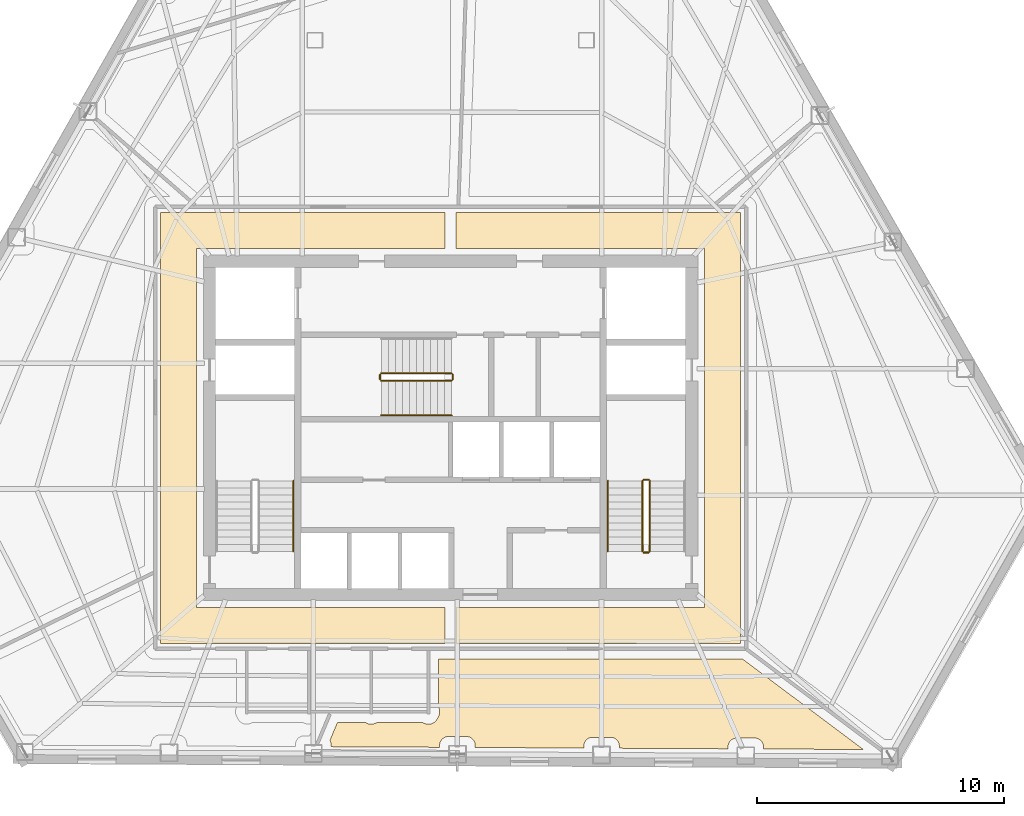
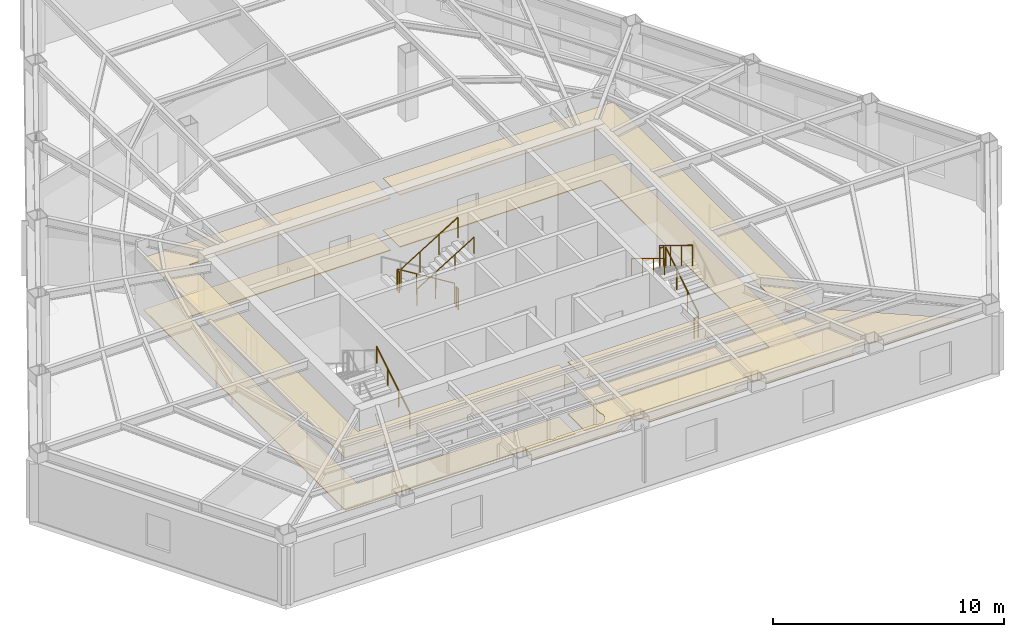
# One storey, part 11 of 12: 11 railings, 5 coverings.
"""IFC4 building model written with IfcOpenShell, lengths in metres."""

from ifc_helpers import new_model, si_unit, direction, frame, origin, origin_2d, place, context, subcontext, project, spatial, polyline, circle, outline, extrude, material, layer, layer_set, type_object, element, save


model = new_model("IFC4")

# Units and contexts
model_context = context("Model", 3, precision=1e-05, world=origin(), true_north=direction((0.0, 1.0)))
body_context = subcontext(model_context, "Body", "Model", "MODEL_VIEW")
ifc_project = project(units=[si_unit("LENGTHUNIT", "METRE"), si_unit("AREAUNIT", "SQUARE_METRE"), si_unit("VOLUMEUNIT", "CUBIC_METRE"), si_unit("PLANEANGLEUNIT", "RADIAN"), si_unit("MASSUNIT", "GRAM", prefix="KILO")], contexts=[model_context])

# Site, building, storey
site_placement = place(None, origin())
site = spatial("IfcSite", under=ifc_project, at=site_placement, CompositionType="ELEMENT")
building_placement = place(site_placement, origin())
building = spatial("IfcBuilding", under=site, at=building_placement, Name="Kavelnor Concourse Tower", CompositionType="ELEMENT")
storey_placement = place(building_placement, frame((0.0, 0.0, 104.75)))
storey = spatial("IfcBuildingStorey", under=building, at=storey_placement, Name="L26", CompositionType="ELEMENT", Elevation=104.75)

# Coverings
ifc_material_1 = material(Name="Mineral fibre acoustic ceiling tile")
ifc_layer_1 = layer(ifc_material_1, 0.0400390625, Name="Mineral fibre acoustic ceiling tile")
ifc_layer_set_1 = layer_set([ifc_layer_1], Name="Mineral fibre acoustic ceiling tile")
covering_type_1 = type_object("IfcCoveringType", Name="COV-CEILING-ACOUSTIC", PredefinedType="CEILING", material=ifc_layer_set_1)
covering_1_placement = place(storey_placement, frame((0.0, 0.0, 2.75)))
element("IfcCovering", 1, at=covering_1_placement, inside=storey, type_object=covering_type_1, Name="L26 Suspended Acoustic Ceiling", PredefinedType="CEILING", context=body_context, shape_type="SweptSolid", body=[
    extrude(outline(polyline([(26.25, 7.3701171875), (26.25, 24.830078125), (37.77490234375, 24.830078125), (37.77490234375, 23.3701171875), (27.7099609375, 23.3701171875), (27.7099609375, 8.830078125), (37.77490234375, 8.830078125), (37.77490234375, 7.3701171875), (26.25, 7.3701171875)])), origin(), (0.0, 0.0, 1.0), 0.0400390625),
])
covering_2_placement = place(storey_placement, frame((0.0, 0.0, 2.75)))
element("IfcCovering", 2, at=covering_2_placement, inside=storey, type_object=covering_type_1, Name="L26 Suspended Acoustic Ceiling", PredefinedType="CEILING", context=body_context, shape_type="SweptSolid", body=[
    extrude(outline(polyline([(49.75, 7.3701171875), (38.22509765625, 7.3701171875), (38.22509765625, 8.830078125), (48.2900390625, 8.830078125), (48.2900390625, 23.3701171875), (38.22509765625, 23.3701171875), (38.22509765625, 24.830078125), (49.75, 24.830078125), (49.75, 7.3701171875)])), origin(), (0.0, 0.0, 1.0), 0.0400390625),
])
covering_3_placement = place(storey_placement, frame((0.0, 0.0, 2.75)))
element("IfcCovering", 3, at=covering_3_placement, inside=storey, type_object=covering_type_1, Name="L26 Suspended Acoustic Ceiling", PredefinedType="CEILING", context=body_context, shape_type="SweptSolid", body=[
    extrude(outline(polyline([(33.41259765625, 4.159912109375), (34.5595703125, 4.159912109375), (34.5888671875, 4.142578125), (34.625, 4.12548828125), (34.662353515625, 4.112060546875), (34.700927734375, 4.102294921875), (34.740234375, 4.096435546875), (34.780029296875, 4.094482421875), (34.819580078125, 4.096435546875), (34.859130859375, 4.102294921875), (34.897705078125, 4.112060546875), (34.93505859375, 4.12548828125), (34.97119140625, 4.142578125), (35.00048828125, 4.159912109375), (36.879638671875, 4.159912109375), (36.908935546875, 4.142578125), (36.94482421875, 4.12548828125), (36.982421875, 4.112060546875), (37.02099609375, 4.102294921875), (37.060302734375, 4.096435546875), (37.10009765625, 4.094482421875), (37.1396484375, 4.096435546875), (37.17919921875, 4.102294921875), (37.2177734375, 4.112060546875), (37.255126953125, 4.12548828125), (37.291015625, 4.142578125), (37.3251953125, 4.162841796875), (37.357177734375, 4.1865234375), (37.38671875, 4.21337890625), (37.413330078125, 4.242919921875), (37.43701171875, 4.27490234375), (37.45751953125, 4.308837890625), (37.474609375, 4.344970703125), (37.4833984375, 4.3701171875), (37.487060546875, 4.374755859375), (37.507568359375, 4.408935546875), (37.524658203125, 4.44482421875), (37.5380859375, 4.482421875), (37.547607421875, 4.52099609375), (37.553466796875, 4.560302734375), (37.555419921875, 4.60009765625), (37.553466796875, 4.6396484375), (37.547607421875, 4.67919921875), (37.5380859375, 4.7177734375), (37.524658203125, 4.755126953125), (37.507568359375, 4.791015625), (37.5048828125, 4.79541015625), (37.5048828125, 6.7275390625), (49.834716796875, 6.7275390625), (54.722900390625, 3.0703125), (50.67626953125, 3.09130859375), (50.67626953125, 3.18359375), (50.6748046875, 3.21044921875), (50.669677734375, 3.24560546875), (50.6611328125, 3.27978515625), (50.649169921875, 3.31298828125), (50.634033203125, 3.34521484375), (50.615966796875, 3.37548828125), (50.5947265625, 3.40380859375), (50.571044921875, 3.429931640625), (50.544921875, 3.453857421875), (50.516357421875, 3.474853515625), (50.486083984375, 3.4931640625), (50.4541015625, 3.50830078125), (50.4208984375, 3.52001953125), (50.386474609375, 3.52880859375), (50.3515625, 3.533935546875), (50.324462890625, 3.53515625), (49.587890625, 3.53515625), (49.560791015625, 3.533935546875), (49.52587890625, 3.52880859375), (49.49169921875, 3.52001953125), (49.458251953125, 3.50830078125), (49.42626953125, 3.4931640625), (49.39599609375, 3.474853515625), (49.36767578125, 3.453857421875), (49.34130859375, 3.429931640625), (49.317626953125, 3.40380859375), (49.29638671875, 3.37548828125), (49.2783203125, 3.34521484375), (49.26318359375, 3.31298828125), (49.251220703125, 3.27978515625), (49.24267578125, 3.24560546875), (49.237548828125, 3.21044921875), (49.236083984375, 3.18359375), (49.236083984375, 3.098876953125), (44.835205078125, 3.121826171875), (44.835205078125, 3.2138671875), (44.833984375, 3.24072265625), (44.82861328125, 3.27587890625), (44.820068359375, 3.31005859375), (44.80810546875, 3.343505859375), (44.793212890625, 3.37548828125), (44.77490234375, 3.40576171875), (44.75390625, 3.43408203125), (44.72998046875, 3.460205078125), (44.703857421875, 3.484130859375), (44.67529296875, 3.505126953125), (44.64501953125, 3.5234375), (44.613037109375, 3.53857421875), (44.579833984375, 3.55029296875), (44.54541015625, 3.55908203125), (44.510498046875, 3.564208984375), (44.4833984375, 3.5654296875), (43.746826171875, 3.5654296875), (43.719970703125, 3.564208984375), (43.684814453125, 3.55908203125), (43.650634765625, 3.55029296875), (43.6171875, 3.53857421875), (43.585205078125, 3.5234375), (43.554931640625, 3.505126953125), (43.526611328125, 3.484130859375), (43.50048828125, 3.460205078125), (43.4765625, 3.43408203125), (43.45556640625, 3.40576171875), (43.437255859375, 3.37548828125), (43.422119140625, 3.343505859375), (43.410400390625, 3.31005859375), (43.401611328125, 3.27587890625), (43.396484375, 3.24072265625), (43.395263671875, 3.2138671875), (43.395263671875, 3.129150390625), (38.994140625, 3.152099609375), (38.994140625, 3.244140625), (38.992919921875, 3.27099609375), (38.98779296875, 3.30615234375), (38.97900390625, 3.34033203125), (38.96728515625, 3.373779296875), (38.9521484375, 3.40576171875), (38.933837890625, 3.43603515625), (38.912841796875, 3.46435546875), (38.888916015625, 3.490478515625), (38.86279296875, 3.514404296875), (38.83447265625, 3.535400390625), (38.80419921875, 3.5537109375), (38.772216796875, 3.56884765625), (38.73876953125, 3.580810546875), (38.70458984375, 3.58935546875), (38.66943359375, 3.594482421875), (38.642578125, 3.595703125), (37.906005859375, 3.595703125), (37.87890625, 3.594482421875), (37.843994140625, 3.58935546875), (37.8095703125, 3.580810546875), (37.7763671875, 3.56884765625), (37.744384765625, 3.5537109375), (37.714111328125, 3.535400390625), (37.685546875, 3.514404296875), (37.659423828125, 3.490478515625), (37.635498046875, 3.46435546875), (37.614501953125, 3.43603515625), (37.59619140625, 3.40576171875), (37.581298828125, 3.373779296875), (37.5693359375, 3.34033203125), (37.560791015625, 3.30615234375), (37.555419921875, 3.27099609375), (37.55419921875, 3.244140625), (37.55419921875, 3.159423828125), (33.1533203125, 3.182373046875), (33.1533203125, 3.2744140625), (33.15185546875, 3.301513671875), (33.146728515625, 3.33642578125), (33.13818359375, 3.370849609375), (33.126220703125, 3.404052734375), (33.111083984375, 3.43603515625), (33.10888671875, 3.43994140625), (33.41259765625, 4.159912109375)])), origin(), (0.0, 0.0, 1.0), 0.0400390625),
])
ifc_material_2 = material(Name="Honed bluestone and raised access floor finish", Category="masonry")
ifc_layer_2 = layer(ifc_material_2, 0.0400390625, Name="Honed bluestone and raised access floor finish")
ifc_layer_set_2 = layer_set([ifc_layer_2], Name="Honed bluestone and raised access floor finish")
covering_type_2 = type_object("IfcCoveringType", Name="COV-FLOOR-STONE", PredefinedType="FLOORING", material=ifc_layer_set_2)
covering_4_placement = place(storey_placement, frame((0.0, 0.0, 0.001953125)))
element("IfcCovering", 4, at=covering_4_placement, inside=storey, type_object=covering_type_2, Name="L26 Honed Bluestone Floor Finish", PredefinedType="FLOORING", context=body_context, shape_type="SweptSolid", body=[
    extrude(outline(polyline([(26.25, 7.3701171875), (26.25, 24.830078125), (37.77490234375, 24.830078125), (37.77490234375, 23.3701171875), (27.7099609375, 23.3701171875), (27.7099609375, 8.830078125), (37.77490234375, 8.830078125), (37.77490234375, 7.3701171875), (26.25, 7.3701171875)])), origin(), (0.0, 0.0, 1.0), 0.0400390625),
])
covering_5_placement = place(storey_placement, frame((0.0, 0.0, 0.001953125)))
element("IfcCovering", 5, at=covering_5_placement, inside=storey, type_object=covering_type_2, Name="L26 Honed Bluestone Floor Finish", PredefinedType="FLOORING", context=body_context, shape_type="SweptSolid", body=[
    extrude(outline(polyline([(49.75, 7.3701171875), (38.22509765625, 7.3701171875), (38.22509765625, 8.830078125), (48.2900390625, 8.830078125), (48.2900390625, 23.3701171875), (38.22509765625, 23.3701171875), (38.22509765625, 24.830078125), (49.75, 24.830078125), (49.75, 7.3701171875)])), origin(), (0.0, 0.0, 1.0), 0.0400390625),
])

# Railings
ifc_material_3 = material(Name="Steel Grade 350", Category="steel")
railing_type_1 = type_object("IfcRailingType", Name="RLG-GUARD-1100", PredefinedType="GUARDRAIL", material=ifc_material_3)
railing_1_placement = place(storey_placement, frame((46.070068359375, 11.10009765625, 0.175048828125)))
element("IfcRailing", 6, at=railing_1_placement, inside=storey, type_object=railing_type_1, Name="L26 ST2 stair guard 1", PredefinedType="GUARDRAIL", context=body_context, shape_type="SweptSolid", body=[
    extrude(circle(Radius=0.02392578125, at=origin_2d()), frame((0.0, 0.0, 1.076171875), z_axis=(0.0, 0.852159232446, 0.523282564737), x_axis=(-1.0, 0.0, 0.0)), (0.0, 0.0, 1.0), 3.34423828125),
    extrude(circle(Radius=0.02099609375, at=origin_2d()), origin(), (0.0, 0.0, 1.0), 1.052001953125),
    extrude(circle(Radius=0.02099609375, at=origin_2d()), frame((0.0, 0.949951171875, 0.583251953125)), (0.0, 0.0, 1.0), 1.052001953125),
    extrude(circle(Radius=0.02099609375, at=origin_2d()), frame((0.0, 1.89990234375, 1.166748046875)), (0.0, 0.0, 1.0), 1.052001953125),
    extrude(circle(Radius=0.02099609375, at=origin_2d()), frame((0.0, 2.849853515625, 1.75)), (0.0, 0.0, 1.0), 1.052001953125),
])
railing_2_placement = place(storey_placement, frame((46.02001953125, 14.0, 1.925048828125)))
element("IfcRailing", 7, at=railing_2_placement, inside=storey, type_object=railing_type_1, Name="L26 ST2 stair guard 2", PredefinedType="GUARDRAIL", context=body_context, shape_type="SweptSolid", body=[
    extrude(circle(Radius=0.02392578125, at=origin_2d()), frame((0.0, 0.0, 1.076171875), z_axis=(-1.0, 0.0, 0.0), x_axis=(0.0, -1.0, 0.0)), (0.0, 0.0, 1.0), 0.199951171875),
    extrude(circle(Radius=0.02099609375, at=origin_2d()), origin(), (0.0, 0.0, 1.0), 1.052001953125),
    extrude(circle(Radius=0.02099609375, at=origin_2d()), frame((-0.199951171875, 0.0, 0.0)), (0.0, 0.0, 1.0), 1.052001953125),
])
railing_3_placement = place(storey_placement, frame((45.77001953125, 13.949951171875, 2.10009765625)))
element("IfcRailing", 8, at=railing_3_placement, inside=storey, type_object=railing_type_1, Name="L26 ST2 stair guard 3", PredefinedType="GUARDRAIL", context=body_context, shape_type="SweptSolid", body=[
    extrude(circle(Radius=0.02392578125, at=origin_2d()), frame((0.0, 0.0, 1.076171875), z_axis=(0.0, -0.852159232446, 0.523282564737), x_axis=(1.0, 0.0, 0.0)), (0.0, 0.0, 1.0), 3.34423828125),
    extrude(circle(Radius=0.02099609375, at=origin_2d()), origin(), (0.0, 0.0, 1.0), 1.052001953125),
    extrude(circle(Radius=0.02099609375, at=origin_2d()), frame((0.0, -0.949951171875, 0.583251953125)), (0.0, 0.0, 1.0), 1.052001953125),
    extrude(circle(Radius=0.02099609375, at=origin_2d()), frame((0.0, -1.89990234375, 1.166748046875)), (0.0, 0.0, 1.0), 1.052001953125),
    extrude(circle(Radius=0.02099609375, at=origin_2d()), frame((0.0, -2.849853515625, 1.75)), (0.0, 0.0, 1.0), 1.052001953125),
])
railing_4_placement = place(storey_placement, frame((46.02001953125, 11.050048828125, 0.0)))
element("IfcRailing", 9, at=railing_4_placement, inside=storey, type_object=railing_type_1, Name="L26 ST2 stair guard 4", PredefinedType="GUARDRAIL", context=body_context, shape_type="SweptSolid", body=[
    extrude(circle(Radius=0.02392578125, at=origin_2d()), frame((0.0, 0.0, 1.076171875), z_axis=(-1.0, 0.0, 0.0), x_axis=(0.0, -1.0, 0.0)), (0.0, 0.0, 1.0), 0.199951171875),
    extrude(circle(Radius=0.02099609375, at=origin_2d()), origin(), (0.0, 0.0, 1.0), 1.052001953125),
    extrude(circle(Radius=0.02099609375, at=origin_2d()), frame((-0.199951171875, 0.0, 0.0)), (0.0, 0.0, 1.0), 1.052001953125),
])
railing_5_placement = place(storey_placement, frame((38.0400390625, 18.31005859375, 0.175048828125)))
element("IfcRailing", 10, at=railing_5_placement, inside=storey, type_object=railing_type_1, Name="L26 ST3 stair guard 1", PredefinedType="GUARDRAIL", context=body_context, shape_type="SweptSolid", body=[
    extrude(circle(Radius=0.02392578125, at=origin_2d()), frame((0.0, 0.0, 1.076171875), z_axis=(-0.852179220489, 0.0, 0.52325001306), x_axis=(0.0, -1.0, 0.0)), (0.0, 0.0, 1.0), 3.344482421875),
    extrude(circle(Radius=0.02099609375, at=origin_2d()), origin(), (0.0, 0.0, 1.0), 1.052001953125),
    extrude(circle(Radius=0.02099609375, at=origin_2d()), frame((-0.949951171875, 0.0, 0.583251953125)), (0.0, 0.0, 1.0), 1.052001953125),
    extrude(circle(Radius=0.02099609375, at=origin_2d()), frame((-1.900146484375, 0.0, 1.166748046875)), (0.0, 0.0, 1.0), 1.052001953125),
    extrude(circle(Radius=0.02099609375, at=origin_2d()), frame((-2.85009765625, 0.0, 1.75)), (0.0, 0.0, 1.0), 1.052001953125),
])
railing_6_placement = place(storey_placement, frame((35.139892578125, 18.260009765625, 1.925048828125)))
element("IfcRailing", 11, at=railing_6_placement, inside=storey, type_object=railing_type_1, Name="L26 ST3 stair guard 2", PredefinedType="GUARDRAIL", context=body_context, shape_type="SweptSolid", body=[
    extrude(circle(Radius=0.02392578125, at=origin_2d()), frame((0.0, 0.0, 1.076171875), z_axis=(0.0, -1.0, 0.0), x_axis=(1.0, 0.0, 0.0)), (0.0, 0.0, 1.0), 0.199951171875),
    extrude(circle(Radius=0.02099609375, at=origin_2d()), origin(), (0.0, 0.0, 1.0), 1.052001953125),
    extrude(circle(Radius=0.02099609375, at=origin_2d()), frame((0.0, -0.199951171875, 0.0)), (0.0, 0.0, 1.0), 1.052001953125),
])
railing_7_placement = place(storey_placement, frame((35.18994140625, 18.010009765625, 2.10009765625)))
element("IfcRailing", 12, at=railing_7_placement, inside=storey, type_object=railing_type_1, Name="L26 ST3 stair guard 3", PredefinedType="GUARDRAIL", context=body_context, shape_type="SweptSolid", body=[
    extrude(circle(Radius=0.02392578125, at=origin_2d()), frame((0.0, 0.0, 1.076171875), z_axis=(0.852179220489, 0.0, 0.52325001306), x_axis=(0.0, 1.0, 0.0)), (0.0, 0.0, 1.0), 3.344482421875),
    extrude(circle(Radius=0.02099609375, at=origin_2d()), origin(), (0.0, 0.0, 1.0), 1.052001953125),
    extrude(circle(Radius=0.02099609375, at=origin_2d()), frame((0.949951171875, 0.0, 0.583251953125)), (0.0, 0.0, 1.0), 1.052001953125),
    extrude(circle(Radius=0.02099609375, at=origin_2d()), frame((1.900146484375, 0.0, 1.166748046875)), (0.0, 0.0, 1.0), 1.052001953125),
    extrude(circle(Radius=0.02099609375, at=origin_2d()), frame((2.85009765625, 0.0, 1.75)), (0.0, 0.0, 1.0), 1.052001953125),
])
railing_8_placement = place(storey_placement, frame((38.090087890625, 18.260009765625, 0.0)))
element("IfcRailing", 13, at=railing_8_placement, inside=storey, type_object=railing_type_1, Name="L26 ST3 stair guard 4", PredefinedType="GUARDRAIL", context=body_context, shape_type="SweptSolid", body=[
    extrude(circle(Radius=0.02392578125, at=origin_2d()), frame((0.0, 0.0, 1.076171875), z_axis=(0.0, -1.0, 0.0), x_axis=(1.0, 0.0, 0.0)), (0.0, 0.0, 1.0), 0.199951171875),
    extrude(circle(Radius=0.02099609375, at=origin_2d()), origin(), (0.0, 0.0, 1.0), 1.052001953125),
    extrude(circle(Radius=0.02099609375, at=origin_2d()), frame((0.0, -0.199951171875, 0.0)), (0.0, 0.0, 1.0), 1.052001953125),
])
railing_type_2 = type_object("IfcRailingType", Name="RLG-HANDRAIL-900", PredefinedType="HANDRAIL", material=ifc_material_3)
railing_9_placement = place(storey_placement, frame((31.6298828125, 11.10009765625, 0.175048828125)))
element("IfcRailing", 14, at=railing_9_placement, inside=storey, type_object=railing_type_2, Name="L26 ST1 stair handrail 1", PredefinedType="HANDRAIL", context=body_context, shape_type="SweptSolid", body=[
    extrude(circle(Radius=0.02392578125, at=origin_2d()), frame((0.0, 0.0, 0.8759765625), z_axis=(0.0, 0.852159232446, 0.523282564737), x_axis=(-1.0, 0.0, 0.0)), (0.0, 0.0, 1.0), 3.34423828125),
    extrude(circle(Radius=0.02099609375, at=origin_2d()), origin(), (0.0, 0.0, 1.0), 0.851806640625),
    extrude(circle(Radius=0.02099609375, at=origin_2d()), frame((0.0, 0.949951171875, 0.583251953125)), (0.0, 0.0, 1.0), 0.851806640625),
    extrude(circle(Radius=0.02099609375, at=origin_2d()), frame((0.0, 1.89990234375, 1.166748046875)), (0.0, 0.0, 1.0), 0.851806640625),
    extrude(circle(Radius=0.02099609375, at=origin_2d()), frame((0.0, 2.849853515625, 1.75)), (0.0, 0.0, 1.0), 0.851806640625),
])
railing_10_placement = place(storey_placement, frame((44.3701171875, 13.949951171875, 2.10009765625)))
element("IfcRailing", 15, at=railing_10_placement, inside=storey, type_object=railing_type_2, Name="L26 ST2 stair handrail 2", PredefinedType="HANDRAIL", context=body_context, shape_type="SweptSolid", body=[
    extrude(circle(Radius=0.02392578125, at=origin_2d()), frame((0.0, 0.0, 0.8759765625), z_axis=(0.0, -0.852159232446, 0.523282564737), x_axis=(1.0, 0.0, 0.0)), (0.0, 0.0, 1.0), 3.34423828125),
    extrude(circle(Radius=0.02099609375, at=origin_2d()), origin(), (0.0, 0.0, 1.0), 0.851806640625),
    extrude(circle(Radius=0.02099609375, at=origin_2d()), frame((0.0, -0.949951171875, 0.583251953125)), (0.0, 0.0, 1.0), 0.851806640625),
    extrude(circle(Radius=0.02099609375, at=origin_2d()), frame((0.0, -1.89990234375, 1.166748046875)), (0.0, 0.0, 1.0), 0.851806640625),
    extrude(circle(Radius=0.02099609375, at=origin_2d()), frame((0.0, -2.849853515625, 1.75)), (0.0, 0.0, 1.0), 0.851806640625),
])
railing_11_placement = place(storey_placement, frame((35.18994140625, 16.610107421875, 2.10009765625)))
element("IfcRailing", 16, at=railing_11_placement, inside=storey, type_object=railing_type_2, Name="L26 ST3 stair handrail 2", PredefinedType="HANDRAIL", context=body_context, shape_type="SweptSolid", body=[
    extrude(circle(Radius=0.02392578125, at=origin_2d()), frame((0.0, 0.0, 0.8759765625), z_axis=(0.852179220489, 0.0, 0.52325001306), x_axis=(0.0, 1.0, 0.0)), (0.0, 0.0, 1.0), 3.344482421875),
    extrude(circle(Radius=0.02099609375, at=origin_2d()), origin(), (0.0, 0.0, 1.0), 0.851806640625),
    extrude(circle(Radius=0.02099609375, at=origin_2d()), frame((0.949951171875, 0.0, 0.583251953125)), (0.0, 0.0, 1.0), 0.851806640625),
    extrude(circle(Radius=0.02099609375, at=origin_2d()), frame((1.900146484375, 0.0, 1.166748046875)), (0.0, 0.0, 1.0), 0.851806640625),
    extrude(circle(Radius=0.02099609375, at=origin_2d()), frame((2.85009765625, 0.0, 1.75)), (0.0, 0.0, 1.0), 0.851806640625),
])

save(model, "model.ifc")
